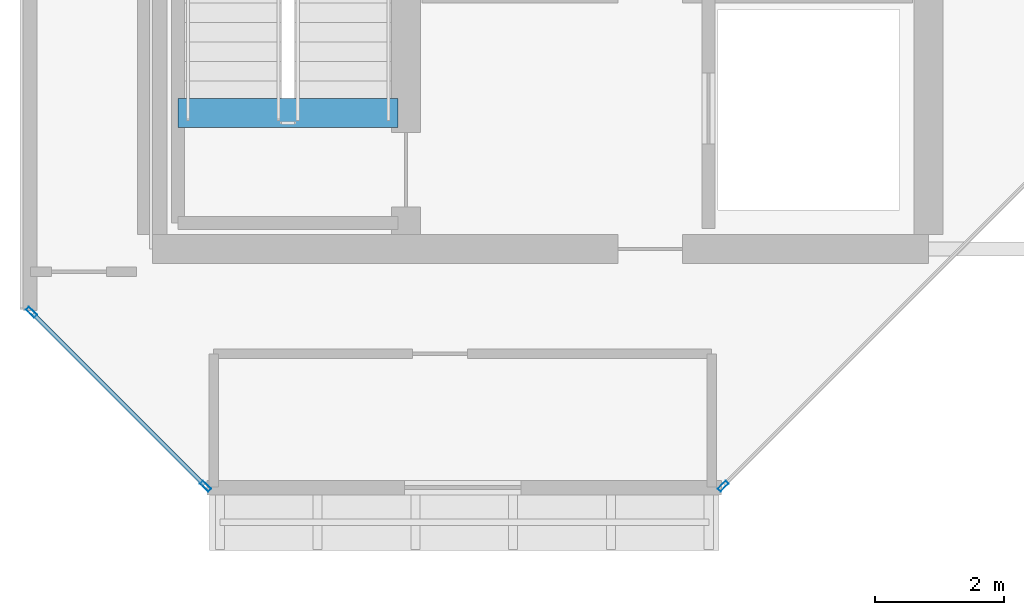
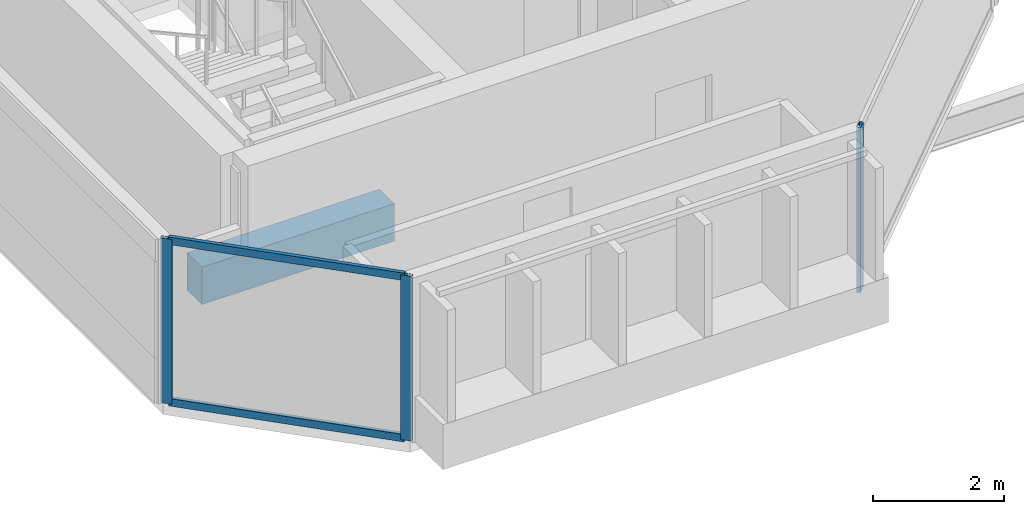
# One storey, part 2 of 28: 5 members, 1 beam, 2 elements without a shape of their own.
"""IFC4 building model written with IfcOpenShell, lengths in metres."""

from ifc_helpers import new_model, si_unit, direction, frame, origin, origin_2d, place, context, subcontext, project, spatial, rectangle, hollow_rectangle, extrude, material, layer, layer_set, material_profile, profile_set, type_object, element, aggregate, save


model = new_model("IFC4")

# Units and contexts
model_context = context("Model", 3, precision=1e-05, world=origin(), true_north=direction((0.0, 1.0)))
body_context = subcontext(model_context, "Body", "Model", "MODEL_VIEW")
ifc_project = project(units=[si_unit("LENGTHUNIT", "METRE"), si_unit("AREAUNIT", "SQUARE_METRE"), si_unit("VOLUMEUNIT", "CUBIC_METRE"), si_unit("PLANEANGLEUNIT", "RADIAN"), si_unit("MASSUNIT", "GRAM", prefix="KILO")], contexts=[model_context])

# Site, building, storey
site_placement = place(None, origin())
site = spatial("IfcSite", under=ifc_project, at=site_placement, CompositionType="ELEMENT")
building_placement = place(site_placement, origin())
building = spatial("IfcBuilding", under=site, at=building_placement, Name="Tanjung Sevakor Pilgrim Tower", CompositionType="ELEMENT")
storey_placement = place(building_placement, frame((0.0, 0.0, 239.25)))
storey = spatial("IfcBuildingStorey", under=building, at=storey_placement, Name="L67", CompositionType="ELEMENT", Elevation=239.25)

# Beam
ifc_material_1 = material(Name="Concrete C60/75", Category="concrete")
ifc_material_profile_1 = material_profile(ifc_material_1, rectangle(XDim=0.449951171875, YDim=0.699951171875, at=origin_2d()))
ifc_profile_set_1 = profile_set([ifc_material_profile_1], Name="Concrete C60/75")
beam_type = type_object("IfcBeamType", Name="BM-B-LN3-RC-BM_450x700", PredefinedType="LINTEL", material=ifc_profile_set_1)
beam_placement = place(storey_placement, frame((24.39990234375, 26.699951171875, -0.35009765625), z_axis=(1.0, 0.0, 0.0), x_axis=(0.0, 1.0, 0.0)))
element("IfcBeam", 1, at=beam_placement, inside=storey, type_object=beam_type, Name="L67 TS-W1 Stair Threshold Beam", PredefinedType="LINTEL", context=body_context, shape_type="SweptSolid", body=[
    extrude(rectangle(XDim=0.449951171875, YDim=0.699951171875, at=origin_2d()), origin(), (0.0, 0.0, 1.0), 3.400146484375),
])

# Curtain wall, member
ifc_material_2 = material(Name="Aluminium 6063-T6 and Low-E Glass", Category="aluminium")
ifc_layer = layer(ifc_material_2, 0.179931640625)
ifc_layer_set = layer_set([ifc_layer], Name="CW-SYS-CHAM")
curtain_wall_type = type_object("IfcCurtainWallType", Name="CW-SYS-CHAM", PredefinedType="NOTDEFINED", material=ifc_layer_set)
curtain_wall_1_placement = place(storey_placement, origin())
curtain_wall_1 = element("IfcCurtainWall", 2, at=curtain_wall_1_placement, inside=storey, type_object=curtain_wall_type, Name="L67 Curtain Wall CW-CHM-L67-WEST-1", PredefinedType="NOTDEFINED")
ifc_material_3 = material(Name="Aluminium 6063-T6", Category="aluminium")
ifc_material_profile_2 = material_profile(ifc_material_3, hollow_rectangle(XDim=0.06494140625, YDim=0.179931640625, WallThickness=0.00390625, at=origin_2d()))
ifc_profile_set_2 = profile_set([ifc_material_profile_2], Name="Aluminium 6063-T6")
member_type_1 = type_object("IfcMemberType", Name="TYPE-CWM-1", PredefinedType="MULLION", material=ifc_profile_set_2)
member_1_placement = place(storey_placement, frame((32.827392578125, 20.932861328125, 0.0), z_axis=(0.0, 0.0, 1.0), x_axis=(-0.707106781187, 0.707106781187, 0.0)))
member_1 = element("IfcMember", 3, at=member_1_placement, type_object=member_type_1, Name="CW-CHM mullion 1", PredefinedType="MULLION", context=body_context, shape_type="SweptSolid", body=[
    extrude(hollow_rectangle(XDim=0.06494140625, YDim=0.179931640625, WallThickness=0.00390625, at=origin_2d()), origin(), (0.0, 0.0, 1.0), 3.080078125),
])
aggregate(curtain_wall_1, [member_1])

# Curtain wall, members
curtain_wall_2_placement = place(storey_placement, origin())
curtain_wall_2 = element("IfcCurtainWall", 4, at=curtain_wall_2_placement, inside=storey, type_object=curtain_wall_type, Name="L67 Curtain Wall CW-CHM-L67-WEST-7", PredefinedType="NOTDEFINED")
member_2_placement = place(storey_placement, frame((22.133056640625, 23.62255859375, 0.0), z_axis=(0.0, 0.0, 1.0), x_axis=(0.707106781187, 0.707106781187, 0.0)))
member_2 = element("IfcMember", 5, at=member_2_placement, type_object=member_type_1, Name="CW-CHM mullion 1", PredefinedType="MULLION", context=body_context, shape_type="SweptSolid", body=[
    extrude(hollow_rectangle(XDim=0.06494140625, YDim=0.179931640625, WallThickness=0.00390625, at=origin_2d()), origin(), (0.0, 0.0, 1.0), 3.080078125),
])
member_3_placement = place(storey_placement, frame((24.822509765625, 20.932861328125, 0.0), z_axis=(0.0, 0.0, 1.0), x_axis=(0.707106781187, 0.707106781187, 0.0)))
member_3 = element("IfcMember", 6, at=member_3_placement, type_object=member_type_1, Name="CW-CHM mullion 2", PredefinedType="MULLION", context=body_context, shape_type="SweptSolid", body=[
    extrude(hollow_rectangle(XDim=0.06494140625, YDim=0.179931640625, WallThickness=0.00390625, at=origin_2d()), origin(), (0.0, 0.0, 1.0), 3.080078125),
])
ifc_material_4 = material(Name="Aluminium 6063-T6", Category="aluminium")
ifc_material_profile_3 = material_profile(ifc_material_4, hollow_rectangle(XDim=0.06494140625, YDim=0.139892578125, WallThickness=0.00390625, at=origin_2d()))
ifc_profile_set_3 = profile_set([ifc_material_profile_3], Name="Aluminium 6063-T6")
member_type_2 = type_object("IfcMemberType", Name="TYPE-CWT-1", PredefinedType="USERDEFINED", material=ifc_profile_set_3)
member_4_placement = place(storey_placement, frame((22.156005859375, 23.599609375, 0.032470703125), z_axis=(0.707106781187, -0.707106781187, 0.0), x_axis=(0.707106781187, 0.707106781187, 0.0)))
member_4 = element("IfcMember", 7, at=member_4_placement, type_object=member_type_2, Name="CW-CHM transom 1.1", ObjectType="TRANSOM", PredefinedType="USERDEFINED", context=body_context, shape_type="SweptSolid", body=[
    extrude(hollow_rectangle(XDim=0.06494140625, YDim=0.139892578125, WallThickness=0.00390625, at=origin_2d()), origin(), (0.0, 0.0, 1.0), 3.738525390625),
])
member_5_placement = place(storey_placement, frame((22.156005859375, 23.599609375, 3.047607421875), z_axis=(0.707106781187, -0.707106781187, 0.0), x_axis=(0.707106781187, 0.707106781187, 0.0)))
member_5 = element("IfcMember", 8, at=member_5_placement, type_object=member_type_2, Name="CW-CHM transom 1.2", ObjectType="TRANSOM", PredefinedType="USERDEFINED", context=body_context, shape_type="SweptSolid", body=[
    extrude(hollow_rectangle(XDim=0.06494140625, YDim=0.139892578125, WallThickness=0.00390625, at=origin_2d()), origin(), (0.0, 0.0, 1.0), 3.738525390625),
])
aggregate(curtain_wall_2, [member_2, member_3, member_4, member_5])

save(model, "model.ifc")
